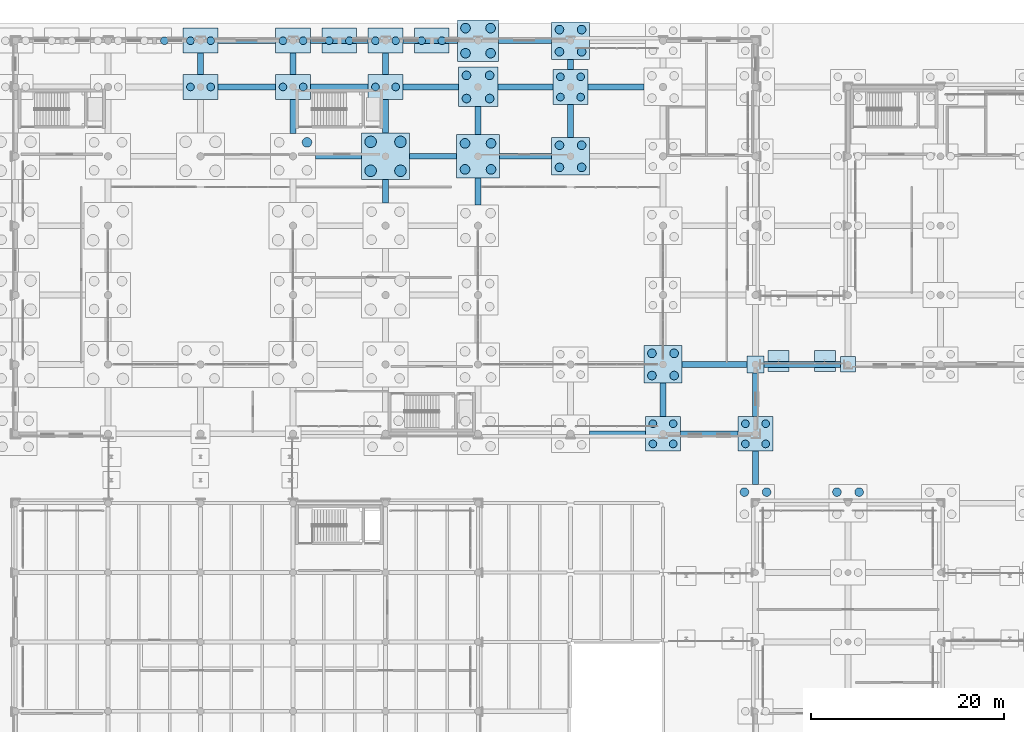
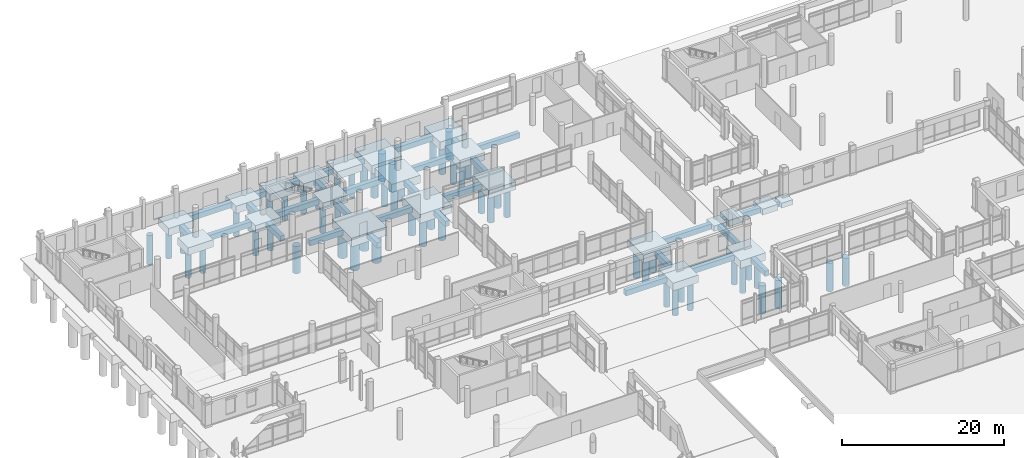
# One storey, part 5 of 196: 62 piles, 51 footings.
"""IFC4 building model written with IfcOpenShell, lengths in metres."""

from ifc_helpers import new_model, si_unit, direction, frame, origin, origin_2d, place, context, subcontext, project, spatial, rectangle, circle, extrude, material, material_profile, profile_set, type_object, element, save


model = new_model("IFC4")

# Units and contexts
model_context = context("Model", 3, precision=1e-05, world=origin(), true_north=direction((0.0, 1.0)))
body_context = subcontext(model_context, "Body", "Model", "MODEL_VIEW")
ifc_project = project(units=[si_unit("LENGTHUNIT", "METRE"), si_unit("AREAUNIT", "SQUARE_METRE"), si_unit("VOLUMEUNIT", "CUBIC_METRE"), si_unit("PLANEANGLEUNIT", "RADIAN"), si_unit("MASSUNIT", "GRAM", prefix="KILO")], contexts=[model_context])

# Site, building, storey
site_placement = place(None, origin())
site = spatial("IfcSite", under=ifc_project, at=site_placement, CompositionType="ELEMENT")
building_placement = place(site_placement, origin())
building = spatial("IfcBuilding", under=site, at=building_placement, Name="Asteropetra Specialist Clinic", CompositionType="ELEMENT")
storey_placement = place(building_placement, origin())
storey = spatial("IfcBuildingStorey", under=building, at=storey_placement, Name="L00", CompositionType="ELEMENT", Elevation=0.0)

# Footings
ifc_material_1 = material(Name="Concrete C35/45", Category="concrete")
ifc_material_profile_1 = material_profile(ifc_material_1, rectangle(XDim=0.60009765625, YDim=0.800048828125, at=origin_2d()), Name="FB 600x800")
ifc_profile_set_1 = profile_set([ifc_material_profile_1], Name="Concrete C35/45")
footing_type_1 = type_object("IfcFootingType", Name="FB-600x800", PredefinedType="FOOTING_BEAM", material=ifc_profile_set_1)
footing_1_placement = place(storey_placement, frame((21.0, 105.60009765625, -0.840087890625), z_axis=(1.0, 0.0, 0.0), x_axis=(0.0, 1.0, 0.0)))
element("IfcFooting", 1, at=footing_1_placement, inside=storey, type_object=footing_type_1, Name="Footing Tie Beam FB-0087", PredefinedType="FOOTING_BEAM", context=body_context, shape_type="SweptSolid", body=[
    extrude(rectangle(XDim=0.60009765625, YDim=0.800048828125, at=origin_2d()), origin(), (0.0, 0.0, 1.0), 6.0),
])
footing_2_placement = place(storey_placement, frame((19.199951171875, 106.89990234375, -0.840087890625), z_axis=(0.0, 1.0, 0.0), x_axis=(-1.0, 0.0, 0.0)))
element("IfcFooting", 2, at=footing_2_placement, inside=storey, type_object=footing_type_1, Name="Footing Tie Beam FB-0088", PredefinedType="FOOTING_BEAM", context=body_context, shape_type="SweptSolid", body=[
    extrude(rectangle(XDim=0.60009765625, YDim=0.800048828125, at=origin_2d()), origin(), (0.0, 0.0, 1.0), 2.2001953125),
])
footing_3_placement = place(storey_placement, frame((21.0, 110.39990234375, -0.840087890625), z_axis=(1.0, 0.0, 0.0), x_axis=(0.0, 1.0, 0.0)))
element("IfcFooting", 3, at=footing_3_placement, inside=storey, type_object=footing_type_1, Name="Footing Tie Beam FB-0089", PredefinedType="FOOTING_BEAM", context=body_context, shape_type="SweptSolid", body=[
    extrude(rectangle(XDim=0.60009765625, YDim=0.800048828125, at=origin_2d()), origin(), (0.0, 0.0, 1.0), 6.0),
])
footing_4_placement = place(storey_placement, frame((31.14990234375, 98.39990234375, -0.840087890625), z_axis=(1.0, 0.0, 0.0), x_axis=(0.0, 1.0, 0.0)))
element("IfcFooting", 4, at=footing_4_placement, inside=storey, type_object=footing_type_1, Name="Footing Tie Beam FB-0117", PredefinedType="FOOTING_BEAM", context=body_context, shape_type="SweptSolid", body=[
    extrude(rectangle(XDim=0.60009765625, YDim=0.800048828125, at=origin_2d()), origin(), (0.0, 0.0, 1.0), 4.75),
])
footing_5_placement = place(storey_placement, frame((28.800048828125, 100.75, -0.840087890625), z_axis=(0.0, 1.0, 0.0), x_axis=(-1.0, 0.0, 0.0)))
element("IfcFooting", 5, at=footing_5_placement, inside=storey, type_object=footing_type_1, Name="Footing Tie Beam FB-0118", PredefinedType="FOOTING_BEAM", context=body_context, shape_type="SweptSolid", body=[
    extrude(rectangle(XDim=0.60009765625, YDim=0.800048828125, at=origin_2d()), origin(), (0.0, 0.0, 1.0), 3.550048828125),
])
footing_6_placement = place(storey_placement, frame((30.60009765625, 105.60009765625, -0.840087890625), z_axis=(1.0, 0.0, 0.0), x_axis=(0.0, 1.0, 0.0)))
element("IfcFooting", 6, at=footing_6_placement, inside=storey, type_object=footing_type_1, Name="Footing Tie Beam FB-0119", PredefinedType="FOOTING_BEAM", context=body_context, shape_type="SweptSolid", body=[
    extrude(rectangle(XDim=0.60009765625, YDim=0.800048828125, at=origin_2d()), origin(), (0.0, 0.0, 1.0), 6.0),
])
footing_7_placement = place(storey_placement, frame((28.800048828125, 106.89990234375, -0.840087890625), z_axis=(0.0, 1.0, 0.0), x_axis=(-1.0, 0.0, 0.0)))
element("IfcFooting", 7, at=footing_7_placement, inside=storey, type_object=footing_type_1, Name="Footing Tie Beam FB-0120", PredefinedType="FOOTING_BEAM", context=body_context, shape_type="SweptSolid", body=[
    extrude(rectangle(XDim=0.60009765625, YDim=0.800048828125, at=origin_2d()), origin(), (0.0, 0.0, 1.0), 2.2001953125),
])
footing_8_placement = place(storey_placement, frame((30.60009765625, 110.39990234375, -0.840087890625), z_axis=(1.0, 0.0, 0.0), x_axis=(0.0, 1.0, 0.0)))
element("IfcFooting", 8, at=footing_8_placement, inside=storey, type_object=footing_type_1, Name="Footing Tie Beam FB-0121", PredefinedType="FOOTING_BEAM", context=body_context, shape_type="SweptSolid", body=[
    extrude(rectangle(XDim=0.60009765625, YDim=0.800048828125, at=origin_2d()), origin(), (0.0, 0.0, 1.0), 6.0),
])
footing_9_placement = place(storey_placement, frame((38.39990234375, 93.550048828125, -0.840087890625), z_axis=(0.0, 1.0, 0.0), x_axis=(-1.0, 0.0, 0.0)))
element("IfcFooting", 9, at=footing_9_placement, inside=storey, type_object=footing_type_1, Name="Footing Tie Beam FB-0148", PredefinedType="FOOTING_BEAM", context=body_context, shape_type="SweptSolid", body=[
    extrude(rectangle(XDim=0.60009765625, YDim=0.800048828125, at=origin_2d()), origin(), (0.0, 0.0, 1.0), 2.449951171875),
])
footing_10_placement = place(storey_placement, frame((40.89990234375, 98.39990234375, -0.840087890625), z_axis=(1.0, 0.0, 0.0), x_axis=(0.0, 1.0, 0.0)))
element("IfcFooting", 10, at=footing_10_placement, inside=storey, type_object=footing_type_1, Name="Footing Tie Beam FB-0149", PredefinedType="FOOTING_BEAM", context=body_context, shape_type="SweptSolid", body=[
    extrude(rectangle(XDim=0.60009765625, YDim=0.800048828125, at=origin_2d()), origin(), (0.0, 0.0, 1.0), 4.85009765625),
])
footing_11_placement = place(storey_placement, frame((38.39990234375, 100.800048828125, -0.840087890625), z_axis=(0.0, 1.0, 0.0), x_axis=(-1.0, 0.0, 0.0)))
element("IfcFooting", 11, at=footing_11_placement, inside=storey, type_object=footing_type_1, Name="Footing Tie Beam FB-0150", PredefinedType="FOOTING_BEAM", context=body_context, shape_type="SweptSolid", body=[
    extrude(rectangle(XDim=0.60009765625, YDim=0.800048828125, at=origin_2d()), origin(), (0.0, 0.0, 1.0), 3.5),
])
footing_12_placement = place(storey_placement, frame((40.199951171875, 105.60009765625, -0.840087890625), z_axis=(1.0, 0.0, 0.0), x_axis=(0.0, 1.0, 0.0)))
element("IfcFooting", 12, at=footing_12_placement, inside=storey, type_object=footing_type_1, Name="Footing Tie Beam FB-0151", PredefinedType="FOOTING_BEAM", context=body_context, shape_type="SweptSolid", body=[
    extrude(rectangle(XDim=0.60009765625, YDim=0.800048828125, at=origin_2d()), origin(), (0.0, 0.0, 1.0), 5.75),
])
footing_13_placement = place(storey_placement, frame((38.39990234375, 106.89990234375, -0.840087890625), z_axis=(0.0, 1.0, 0.0), x_axis=(-1.0, 0.0, 0.0)))
element("IfcFooting", 13, at=footing_13_placement, inside=storey, type_object=footing_type_1, Name="Footing Tie Beam FB-0152", PredefinedType="FOOTING_BEAM", context=body_context, shape_type="SweptSolid", body=[
    extrude(rectangle(XDim=0.60009765625, YDim=0.800048828125, at=origin_2d()), origin(), (0.0, 0.0, 1.0), 2.2001953125),
])
footing_14_placement = place(storey_placement, frame((40.199951171875, 110.39990234375, -0.840087890625), z_axis=(1.0, 0.0, 0.0), x_axis=(0.0, 1.0, 0.0)))
element("IfcFooting", 14, at=footing_14_placement, inside=storey, type_object=footing_type_1, Name="Footing Tie Beam FB-0153", PredefinedType="FOOTING_BEAM", context=body_context, shape_type="SweptSolid", body=[
    extrude(rectangle(XDim=0.60009765625, YDim=0.800048828125, at=origin_2d()), origin(), (0.0, 0.0, 1.0), 5.650146484375),
])
footing_15_placement = place(storey_placement, frame((48.0, 93.35009765625, -0.840087890625), z_axis=(0.0, 1.0, 0.0), x_axis=(-1.0, 0.0, 0.0)))
element("IfcFooting", 15, at=footing_15_placement, inside=storey, type_object=footing_type_1, Name="Footing Tie Beam FB-0178", PredefinedType="FOOTING_BEAM", context=body_context, shape_type="SweptSolid", body=[
    extrude(rectangle(XDim=0.60009765625, YDim=0.800048828125, at=origin_2d()), origin(), (0.0, 0.0, 1.0), 2.7998046875),
])
footing_16_placement = place(storey_placement, frame((50.25, 98.39990234375, -0.840087890625), z_axis=(1.0, 0.0, 0.0), x_axis=(0.0, 1.0, 0.0)))
element("IfcFooting", 16, at=footing_16_placement, inside=storey, type_object=footing_type_1, Name="Footing Tie Beam FB-0179", PredefinedType="FOOTING_BEAM", context=body_context, shape_type="SweptSolid", body=[
    extrude(rectangle(XDim=0.60009765625, YDim=0.800048828125, at=origin_2d()), origin(), (0.0, 0.0, 1.0), 5.39990234375),
])
footing_17_placement = place(storey_placement, frame((48.0, 100.64990234375, -0.840087890625), z_axis=(0.0, 1.0, 0.0), x_axis=(-1.0, 0.0, 0.0)))
element("IfcFooting", 17, at=footing_17_placement, inside=storey, type_object=footing_type_1, Name="Footing Tie Beam FB-0180", PredefinedType="FOOTING_BEAM", context=body_context, shape_type="SweptSolid", body=[
    extrude(rectangle(XDim=0.60009765625, YDim=0.800048828125, at=origin_2d()), origin(), (0.0, 0.0, 1.0), 2.900146484375),
])
footing_18_placement = place(storey_placement, frame((50.050048828125, 105.60009765625, -0.840087890625), z_axis=(1.0, 0.0, 0.0), x_axis=(0.0, 1.0, 0.0)))
element("IfcFooting", 18, at=footing_18_placement, inside=storey, type_object=footing_type_1, Name="Footing Tie Beam FB-0181", PredefinedType="FOOTING_BEAM", context=body_context, shape_type="SweptSolid", body=[
    extrude(rectangle(XDim=0.60009765625, YDim=0.800048828125, at=origin_2d()), origin(), (0.0, 0.0, 1.0), 5.75),
])
footing_19_placement = place(storey_placement, frame((50.14990234375, 110.39990234375, -0.840087890625), z_axis=(1.0, 0.0, 0.0), x_axis=(0.0, 1.0, 0.0)))
element("IfcFooting", 19, at=footing_19_placement, inside=storey, type_object=footing_type_1, Name="Footing Tie Beam FB-0182", PredefinedType="FOOTING_BEAM", context=body_context, shape_type="SweptSolid", body=[
    extrude(rectangle(XDim=0.60009765625, YDim=0.800048828125, at=origin_2d()), origin(), (0.0, 0.0, 1.0), 5.5),
])
footing_20_placement = place(storey_placement, frame((59.550048828125, 69.60009765625, -0.840087890625), z_axis=(1.0, 0.0, 0.0), x_axis=(0.0, 1.0, 0.0)))
element("IfcFooting", 20, at=footing_20_placement, inside=storey, type_object=footing_type_1, Name="Footing Tie Beam FB-0202", PredefinedType="FOOTING_BEAM", context=body_context, shape_type="SweptSolid", body=[
    extrude(rectangle(XDim=0.60009765625, YDim=0.800048828125, at=origin_2d()), origin(), (0.0, 0.0, 1.0), 5.849853515625),
])
footing_21_placement = place(storey_placement, frame((57.60009765625, 100.35009765625, -0.840087890625), z_axis=(0.0, 1.0, 0.0), x_axis=(-1.0, 0.0, 0.0)))
element("IfcFooting", 21, at=footing_21_placement, inside=storey, type_object=footing_type_1, Name="Footing Tie Beam FB-0206", PredefinedType="FOOTING_BEAM", context=body_context, shape_type="SweptSolid", body=[
    extrude(rectangle(XDim=0.60009765625, YDim=0.800048828125, at=origin_2d()), origin(), (0.0, 0.0, 1.0), 3.449951171875),
])
footing_22_placement = place(storey_placement, frame((59.39990234375, 105.60009765625, -0.840087890625), z_axis=(1.0, 0.0, 0.0), x_axis=(0.0, 1.0, 0.0)))
element("IfcFooting", 22, at=footing_22_placement, inside=storey, type_object=footing_type_1, Name="Footing Tie Beam FB-0207", PredefinedType="FOOTING_BEAM", context=body_context, shape_type="SweptSolid", body=[
    extrude(rectangle(XDim=0.60009765625, YDim=0.800048828125, at=origin_2d()), origin(), (0.0, 0.0, 1.0), 5.85009765625),
])
footing_23_placement = place(storey_placement, frame((57.60009765625, 107.39990234375, -0.840087890625), z_axis=(0.0, 1.0, 0.0), x_axis=(-1.0, 0.0, 0.0)))
element("IfcFooting", 23, at=footing_23_placement, inside=storey, type_object=footing_type_1, Name="Footing Tie Beam FB-0208", PredefinedType="FOOTING_BEAM", context=body_context, shape_type="SweptSolid", body=[
    extrude(rectangle(XDim=0.60009765625, YDim=0.800048828125, at=origin_2d()), origin(), (0.0, 0.0, 1.0), 1.050048828125),
])
footing_24_placement = place(storey_placement, frame((69.0, 69.60009765625, -0.840087890625), z_axis=(1.0, 0.0, 0.0), x_axis=(0.0, 1.0, 0.0)))
element("IfcFooting", 24, at=footing_24_placement, inside=storey, type_object=footing_type_1, Name="Footing Tie Beam FB-0221", PredefinedType="FOOTING_BEAM", context=body_context, shape_type="SweptSolid", body=[
    extrude(rectangle(XDim=0.60009765625, YDim=0.800048828125, at=origin_2d()), origin(), (0.0, 0.0, 1.0), 6.0),
])
footing_25_placement = place(storey_placement, frame((67.199951171875, 71.39990234375, -0.840087890625), z_axis=(0.0, 1.0, 0.0), x_axis=(-1.0, 0.0, 0.0)))
element("IfcFooting", 25, at=footing_25_placement, inside=storey, type_object=footing_type_1, Name="Footing Tie Beam FB-0222", PredefinedType="FOOTING_BEAM", context=body_context, shape_type="SweptSolid", body=[
    extrude(rectangle(XDim=0.60009765625, YDim=0.800048828125, at=origin_2d()), origin(), (0.0, 0.0, 1.0), 3.4501953125),
])
footing_26_placement = place(storey_placement, frame((69.14990234375, 76.800048828125, -0.840087890625), z_axis=(1.0, 0.0, 0.0), x_axis=(0.0, 1.0, 0.0)))
element("IfcFooting", 26, at=footing_26_placement, inside=storey, type_object=footing_type_1, Name="Footing Tie Beam FB-0223", PredefinedType="FOOTING_BEAM", context=body_context, shape_type="SweptSolid", body=[
    extrude(rectangle(XDim=0.60009765625, YDim=0.800048828125, at=origin_2d()), origin(), (0.0, 0.0, 1.0), 6.75),
])
footing_27_placement = place(storey_placement, frame((76.800048828125, 64.35009765625, -0.840087890625), z_axis=(0.0, 1.0, 0.0), x_axis=(-1.0, 0.0, 0.0)))
element("IfcFooting", 27, at=footing_27_placement, inside=storey, type_object=footing_type_1, Name="Footing Tie Beam FB-0246", PredefinedType="FOOTING_BEAM", context=body_context, shape_type="SweptSolid", body=[
    extrude(rectangle(XDim=0.60009765625, YDim=0.800048828125, at=origin_2d()), origin(), (0.0, 0.0, 1.0), 3.449951171875),
])
footing_28_placement = place(storey_placement, frame((76.800048828125, 71.39990234375, -0.840087890625), z_axis=(0.0, 1.0, 0.0), x_axis=(-1.0, 0.0, 0.0)))
element("IfcFooting", 28, at=footing_28_placement, inside=storey, type_object=footing_type_1, Name="Footing Tie Beam FB-0247", PredefinedType="FOOTING_BEAM", context=body_context, shape_type="SweptSolid", body=[
    extrude(rectangle(XDim=0.60009765625, YDim=0.800048828125, at=origin_2d()), origin(), (0.0, 0.0, 1.0), 4.5),
])
footing_29_placement = place(storey_placement, frame((77.699951171875, 76.800048828125, -0.840087890625), z_axis=(1.0, 0.0, 0.0), x_axis=(0.0, 1.0, 0.0)))
element("IfcFooting", 29, at=footing_29_placement, inside=storey, type_object=footing_type_1, Name="Footing Tie Beam FB-0248", PredefinedType="FOOTING_BEAM", context=body_context, shape_type="SweptSolid", body=[
    extrude(rectangle(XDim=0.60009765625, YDim=0.800048828125, at=origin_2d()), origin(), (0.0, 0.0, 1.0), 7.900146484375),
])
ifc_material_2 = material(Name="Concrete C35/45", Category="concrete")
footing_type_2 = type_object("IfcFootingType", Name="PC-2600", PredefinedType="PILE_CAP", material=ifc_material_2)
for number, where, z_axis, x_axis, name in (
    (30, (19.199951171875, 105.60009765625, -1.5400390625), (0.0, 0.0, 1.0), (1.0, 0.0, 0.0), "Pile Cap PC-01-056"),
    (31, (19.199951171875, 110.39990234375, -1.5400390625), (0.0, 0.0, 1.0), (1.0, 0.0, 0.0), "Pile Cap PC-01-057"),
    (32, (28.800048828125, 105.60009765625, -1.5400390625), (0.0, 0.0, 1.0), (1.0, 0.0, 0.0), "Pile Cap PC-01-077"),
    (33, (28.800048828125, 110.39990234375, -1.5400390625), (0.0, 0.0, 1.0), (1.0, 0.0, 0.0), "Pile Cap PC-01-078"),
    (34, (38.39990234375, 105.60009765625, -1.5400390625), (0.0, 0.0, 1.0), (1.0, 0.0, 0.0), "Pile Cap PC-01-094"),
    (35, (38.39990234375, 110.39990234375, -1.5400390625), (0.0, 0.0, 1.0), (1.0, 0.0, 0.0), "Pile Cap PC-01-095"),
    (36, (33.60009765625, 110.39990234375, -1.43994140625), (0.0, 0.0, 1.0), (1.0, 0.0, 0.0), "Pilaster Pile Cap PC-P03"),
    (37, (43.199951171875, 110.39990234375, -1.43994140625), (0.0, 0.0, 1.0), (1.0, 0.0, 0.0), "Pilaster Pile Cap PC-P04"),
):
    element("IfcFooting", number, at=place(storey_placement, frame(where, z_axis=z_axis, x_axis=x_axis)), inside=storey, type_object=footing_type_2, Name=name, PredefinedType="PILE_CAP", context=body_context, shape_type="SweptSolid", body=[
        extrude(rectangle(XDim=3.60009765625, YDim=2.60009765625, at=origin_2d()), origin(), (0.0, 0.0, 1.0), 1.10009765625),
    ])
ifc_material_3 = material(Name="Concrete C35/45", Category="concrete")
footing_type_3 = type_object("IfcFootingType", Name="PC-2800", PredefinedType="PILE_CAP", material=ifc_material_3)
for number, where, z_axis, x_axis, name in (
    (38, (57.60009765625, 105.60009765625, -1.58984375), (0.0, 0.0, 1.0), (1.0, 0.0, 0.0), "Pile Cap PC-02-126"),
    (39, (67.199951171875, 69.60009765625, -1.58984375), (0.0, 0.0, 1.0), (1.0, 0.0, 0.0), "Pile Cap PC-02-138"),
    (40, (76.800048828125, 69.60009765625, -1.58984375), (0.0, 0.0, 1.0), (1.0, 0.0, 0.0), "Pile Cap PC-02-156"),
):
    element("IfcFooting", number, at=place(storey_placement, frame(where, z_axis=z_axis, x_axis=x_axis)), inside=storey, type_object=footing_type_3, Name=name, PredefinedType="PILE_CAP", context=body_context, shape_type="SweptSolid", body=[
        extrude(rectangle(XDim=3.60009765625, YDim=3.60009765625, at=origin_2d()), origin(), (0.0, 0.0, 1.0), 1.14990234375),
    ])
ifc_material_4 = material(Name="Concrete C35/45", Category="concrete")
footing_type_4 = type_object("IfcFootingType", Name="PC-3000", PredefinedType="PILE_CAP", material=ifc_material_4)
for number, where, z_axis, x_axis, name in (
    (41, (57.60009765625, 98.39990234375, -1.64013671875), (0.0, 0.0, 1.0), (1.0, 0.0, 0.0), "Pile Cap PC-03-125"),
    (42, (57.60009765625, 110.39990234375, -1.64013671875), (0.0, 0.0, 1.0), (1.0, 0.0, 0.0), "Pile Cap PC-03-127"),
    (43, (67.199951171875, 76.800048828125, -1.64013671875), (0.0, 0.0, 1.0), (1.0, 0.0, 0.0), "Pile Cap PC-03-139"),
):
    element("IfcFooting", number, at=place(storey_placement, frame(where, z_axis=z_axis, x_axis=x_axis)), inside=storey, type_object=footing_type_4, Name=name, PredefinedType="PILE_CAP", context=body_context, shape_type="SweptSolid", body=[
        extrude(rectangle(XDim=3.89990234375, YDim=3.89990234375, at=origin_2d()), origin(), (0.0, 0.0, 1.0), 1.199951171875),
    ])
ifc_material_5 = material(Name="Concrete C35/45", Category="concrete")
footing_type_5 = type_object("IfcFootingType", Name="PC-3200", PredefinedType="PILE_CAP", material=ifc_material_5)
footing_30_placement = place(storey_placement, frame((48.0, 105.60009765625, -1.64013671875), z_axis=(0.0, 0.0, 1.0), x_axis=(1.0, 0.0, 0.0)))
element("IfcFooting", 44, at=footing_30_placement, inside=storey, type_object=footing_type_5, Name="Pile Cap PC-04-111", PredefinedType="PILE_CAP", context=body_context, shape_type="SweptSolid", body=[
    extrude(rectangle(XDim=4.10009765625, YDim=4.10009765625, at=origin_2d()), origin(), (0.0, 0.0, 1.0), 1.199951171875),
])
ifc_material_6 = material(Name="Concrete C35/45", Category="concrete")
footing_type_6 = type_object("IfcFootingType", Name="PC-3400", PredefinedType="PILE_CAP", material=ifc_material_6)
footing_31_placement = place(storey_placement, frame((48.0, 110.39990234375, -1.68994140625), z_axis=(0.0, 0.0, 1.0), x_axis=(1.0, 0.0, 0.0)))
element("IfcFooting", 45, at=footing_31_placement, inside=storey, type_object=footing_type_6, Name="Pile Cap PC-05-112", PredefinedType="PILE_CAP", context=body_context, shape_type="SweptSolid", body=[
    extrude(rectangle(XDim=4.300048828125, YDim=4.300048828125, at=origin_2d()), origin(), (0.0, 0.0, 1.0), 1.25),
])
ifc_material_7 = material(Name="Concrete C35/45", Category="concrete")
footing_type_7 = type_object("IfcFootingType", Name="PC-3600", PredefinedType="PILE_CAP", material=ifc_material_7)
footing_32_placement = place(storey_placement, frame((48.0, 98.39990234375, -1.740234375), z_axis=(0.0, 0.0, 1.0), x_axis=(1.0, 0.0, 0.0)))
element("IfcFooting", 46, at=footing_32_placement, inside=storey, type_object=footing_type_7, Name="Pile Cap PC-06-110", PredefinedType="PILE_CAP", context=body_context, shape_type="SweptSolid", body=[
    extrude(rectangle(XDim=4.5, YDim=4.5, at=origin_2d()), origin(), (0.0, 0.0, 1.0), 1.300048828125),
])
ifc_material_8 = material(Name="Concrete C35/45", Category="concrete")
footing_type_8 = type_object("IfcFootingType", Name="PC-4000x3200", PredefinedType="PILE_CAP", material=ifc_material_8)
footing_33_placement = place(storey_placement, frame((38.39990234375, 98.39990234375, -1.740234375), z_axis=(0.0, 0.0, 1.0), x_axis=(1.0, 0.0, 0.0)))
element("IfcFooting", 47, at=footing_33_placement, inside=storey, type_object=footing_type_8, Name="Pile Cap PC-08-093", PredefinedType="PILE_CAP", context=body_context, shape_type="SweptSolid", body=[
    extrude(rectangle(XDim=5.0, YDim=4.800048828125, at=origin_2d()), origin(), (0.0, 0.0, 1.0), 1.300048828125),
])
ifc_material_9 = material(Name="Concrete C35/45", Category="concrete")
footing_type_9 = type_object("IfcFootingType", Name="PF-1600", PredefinedType="PAD_FOOTING", material=ifc_material_9)
footing_34_placement = place(storey_placement, frame((86.39990234375, 76.800048828125, -1.18994140625), z_axis=(0.0, 0.0, 1.0), x_axis=(1.0, 0.0, 0.0)))
element("IfcFooting", 48, at=footing_34_placement, inside=storey, type_object=footing_type_9, Name="Pad Footing PF-01-176", PredefinedType="PAD_FOOTING", context=body_context, shape_type="SweptSolid", body=[
    extrude(rectangle(XDim=1.60009765625, YDim=1.60009765625, at=origin_2d()), origin(), (0.0, 0.0, 1.0), 0.75),
])
ifc_material_10 = material(Name="Concrete C35/45", Category="concrete")
footing_type_10 = type_object("IfcFootingType", Name="PF-1800", PredefinedType="PAD_FOOTING", material=ifc_material_10)
footing_35_placement = place(storey_placement, frame((76.800048828125, 76.800048828125, -1.240234375), z_axis=(0.0, 0.0, 1.0), x_axis=(1.0, 0.0, 0.0)))
element("IfcFooting", 49, at=footing_35_placement, inside=storey, type_object=footing_type_10, Name="Pad Footing PF-02-157", PredefinedType="PAD_FOOTING", context=body_context, shape_type="SweptSolid", body=[
    extrude(rectangle(XDim=1.800048828125, YDim=1.800048828125, at=origin_2d()), origin(), (0.0, 0.0, 1.0), 0.800048828125),
])
ifc_material_11 = material(Name="Concrete C35/45", Category="concrete")
footing_type_11 = type_object("IfcFootingType", Name="PF-2200", PredefinedType="PAD_FOOTING", material=ifc_material_11)
for number, where, z_axis, x_axis, name in (
    (50, (79.199951171875, 77.14990234375, -1.33984375), (0.0, 0.0, 1.0), (1.0, 0.0, 0.0), "Pad Footing PF-04-163"),
    (51, (84.0, 77.14990234375, -1.33984375), (0.0, 0.0, 1.0), (1.0, 0.0, 0.0), "Pad Footing PF-04-167"),
):
    element("IfcFooting", number, at=place(storey_placement, frame(where, z_axis=z_axis, x_axis=x_axis)), inside=storey, type_object=footing_type_11, Name=name, PredefinedType="PAD_FOOTING", context=body_context, shape_type="SweptSolid", body=[
        extrude(rectangle(XDim=2.199951171875, YDim=2.199951171875, at=origin_2d()), origin(), (0.0, 0.0, 1.0), 0.89990234375),
    ])

# Piles
ifc_material_12 = material(Name="Concrete C35/45", Category="concrete")
ifc_material_profile_2 = material_profile(ifc_material_12, circle(Radius=0.5, at=origin_2d()), Name="PILE D1000")
ifc_profile_set_2 = profile_set([ifc_material_profile_2], Name="Concrete C35/45")
pile_type_1 = type_object("IfcPileType", Name="PILE-B1000", PredefinedType="BORED", material=ifc_profile_set_2)
pile_placement = place(storey_placement, frame((30.25, 99.85009765625, -1.68994140625), z_axis=(0.0, 0.0, -1.0), x_axis=(1.0, 0.0, 0.0)))
element("IfcPile", 52, at=pile_placement, inside=storey, type_object=pile_type_1, Name="Bored Pile PPL03-076-4", PredefinedType="BORED", context=body_context, shape_type="SweptSolid", body=[
    extrude(circle(Radius=0.5, at=origin_2d()), origin(), (0.0, 0.0, 1.0), 4.110107421875),
])
for number, where, z_axis, x_axis, name in (
    (53, (46.64990234375, 97.050048828125, -1.639892578125), (0.0, 0.0, -1.0), (1.0, 0.0, 0.0), "Bored Pile PPL03-110-1"),
    (54, (49.35009765625, 97.050048828125, -1.639892578125), (0.0, 0.0, -1.0), (1.0, 0.0, 0.0), "Bored Pile PPL03-110-2"),
    (55, (46.64990234375, 99.75, -1.639892578125), (0.0, 0.0, -1.0), (1.0, 0.0, 0.0), "Bored Pile PPL03-110-3"),
    (56, (49.35009765625, 99.75, -1.639892578125), (0.0, 0.0, -1.0), (1.0, 0.0, 0.0), "Bored Pile PPL03-110-4"),
):
    element("IfcPile", number, at=place(storey_placement, frame(where, z_axis=z_axis, x_axis=x_axis)), inside=storey, type_object=pile_type_1, Name=name, PredefinedType="BORED", context=body_context, shape_type="SweptSolid", body=[
        extrude(circle(Radius=0.5, at=origin_2d()), origin(), (0.0, 0.0, 1.0), 4.159912109375),
    ])
for number, where, z_axis, x_axis, name in (
    (57, (46.699951171875, 109.10009765625, -1.590087890625), (0.0, 0.0, -1.0), (1.0, 0.0, 0.0), "Bored Pile PPL03-112-1"),
    (58, (49.300048828125, 109.10009765625, -1.590087890625), (0.0, 0.0, -1.0), (1.0, 0.0, 0.0), "Bored Pile PPL03-112-2"),
    (59, (46.699951171875, 111.699951171875, -1.590087890625), (0.0, 0.0, -1.0), (1.0, 0.0, 0.0), "Bored Pile PPL03-112-3"),
    (60, (49.300048828125, 111.699951171875, -1.590087890625), (0.0, 0.0, -1.0), (1.0, 0.0, 0.0), "Bored Pile PPL03-112-4"),
):
    element("IfcPile", number, at=place(storey_placement, frame(where, z_axis=z_axis, x_axis=x_axis)), inside=storey, type_object=pile_type_1, Name=name, PredefinedType="BORED", context=body_context, shape_type="SweptSolid", body=[
        extrude(circle(Radius=0.5, at=origin_2d()), origin(), (0.0, 0.0, 1.0), 4.2099609375),
    ])
ifc_material_13 = material(Name="Concrete C35/45", Category="concrete")
ifc_material_profile_3 = material_profile(ifc_material_13, circle(Radius=0.60009765625, at=origin_2d()), Name="PILE D1200")
ifc_profile_set_3 = profile_set([ifc_material_profile_3], Name="Concrete C35/45")
pile_type_2 = type_object("IfcPileType", Name="PILE-B1200", PredefinedType="BORED", material=ifc_profile_set_3)
for number, where, z_axis, x_axis, name in (
    (61, (36.85009765625, 96.89990234375, -1.639892578125), (0.0, 0.0, -1.0), (1.0, 0.0, 0.0), "Bored Pile PPL04-093-1"),
    (62, (39.949951171875, 96.89990234375, -1.639892578125), (0.0, 0.0, -1.0), (1.0, 0.0, 0.0), "Bored Pile PPL04-093-2"),
    (63, (36.85009765625, 99.89990234375, -1.639892578125), (0.0, 0.0, -1.0), (1.0, 0.0, 0.0), "Bored Pile PPL04-093-3"),
    (64, (39.949951171875, 99.89990234375, -1.639892578125), (0.0, 0.0, -1.0), (1.0, 0.0, 0.0), "Bored Pile PPL04-093-4"),
):
    element("IfcPile", number, at=place(storey_placement, frame(where, z_axis=z_axis, x_axis=x_axis)), inside=storey, type_object=pile_type_2, Name=name, PredefinedType="BORED", context=body_context, shape_type="SweptSolid", body=[
        extrude(circle(Radius=0.60009765625, at=origin_2d()), origin(), (0.0, 0.0, 1.0), 4.159912109375),
    ])
ifc_material_14 = material(Name="Concrete C35/45", Category="concrete")
ifc_material_profile_4 = material_profile(ifc_material_14, circle(Radius=0.39990234375, at=origin_2d()), Name="PILE D800")
ifc_profile_set_4 = profile_set([ifc_material_profile_4], Name="Concrete C35/45")
pile_type_3 = type_object("IfcPileType", Name="PILE-B800", PredefinedType="BORED", material=ifc_profile_set_4)
for number, where, z_axis, x_axis, name in (
    (65, (18.14990234375, 105.60009765625, -1.43994140625), (0.0, 0.0, -1.0), (1.0, 0.0, 0.0), "Bored Pile PPL01-056-1"),
    (66, (20.25, 105.60009765625, -1.43994140625), (0.0, 0.0, -1.0), (1.0, 0.0, 0.0), "Bored Pile PPL01-056-2"),
    (67, (18.14990234375, 110.39990234375, -1.43994140625), (0.0, 0.0, -1.0), (1.0, 0.0, 0.0), "Bored Pile PPL01-057-1"),
    (68, (20.25, 110.39990234375, -1.43994140625), (0.0, 0.0, -1.0), (1.0, 0.0, 0.0), "Bored Pile PPL01-057-2"),
    (69, (27.75, 105.60009765625, -1.43994140625), (0.0, 0.0, -1.0), (1.0, 0.0, 0.0), "Bored Pile PPL01-077-1"),
    (70, (29.85009765625, 105.60009765625, -1.43994140625), (0.0, 0.0, -1.0), (1.0, 0.0, 0.0), "Bored Pile PPL01-077-2"),
    (71, (27.75, 110.39990234375, -1.43994140625), (0.0, 0.0, -1.0), (1.0, 0.0, 0.0), "Bored Pile PPL01-078-1"),
    (72, (29.85009765625, 110.39990234375, -1.43994140625), (0.0, 0.0, -1.0), (1.0, 0.0, 0.0), "Bored Pile PPL01-078-2"),
    (73, (37.35009765625, 105.60009765625, -1.43994140625), (0.0, 0.0, -1.0), (1.0, 0.0, 0.0), "Bored Pile PPL01-094-1"),
    (74, (39.449951171875, 105.60009765625, -1.43994140625), (0.0, 0.0, -1.0), (1.0, 0.0, 0.0), "Bored Pile PPL01-094-2"),
    (75, (37.35009765625, 110.39990234375, -1.43994140625), (0.0, 0.0, -1.0), (1.0, 0.0, 0.0), "Bored Pile PPL01-095-1"),
    (76, (39.449951171875, 110.39990234375, -1.43994140625), (0.0, 0.0, -1.0), (1.0, 0.0, 0.0), "Bored Pile PPL01-095-2"),
):
    element("IfcPile", number, at=place(storey_placement, frame(where, z_axis=z_axis, x_axis=x_axis)), inside=storey, type_object=pile_type_3, Name=name, PredefinedType="BORED", context=body_context, shape_type="SweptSolid", body=[
        extrude(circle(Radius=0.39990234375, at=origin_2d()), origin(), (0.0, 0.0, 1.0), 4.360107421875),
    ])
for number, where, z_axis, x_axis, name in (
    (77, (56.550048828125, 104.550048828125, -1.489990234375), (0.0, 0.0, -1.0), (1.0, 0.0, 0.0), "Bored Pile PPL01-126-1"),
    (78, (58.64990234375, 104.550048828125, -1.489990234375), (0.0, 0.0, -1.0), (1.0, 0.0, 0.0), "Bored Pile PPL01-126-2"),
    (79, (56.550048828125, 106.64990234375, -1.489990234375), (0.0, 0.0, -1.0), (1.0, 0.0, 0.0), "Bored Pile PPL01-126-3"),
    (80, (58.64990234375, 106.64990234375, -1.489990234375), (0.0, 0.0, -1.0), (1.0, 0.0, 0.0), "Bored Pile PPL01-126-4"),
    (81, (66.14990234375, 68.550048828125, -1.489990234375), (0.0, 0.0, -1.0), (1.0, 0.0, 0.0), "Bored Pile PPL01-138-1"),
    (82, (68.25, 68.550048828125, -1.489990234375), (0.0, 0.0, -1.0), (1.0, 0.0, 0.0), "Bored Pile PPL01-138-2"),
    (83, (66.14990234375, 70.64990234375, -1.489990234375), (0.0, 0.0, -1.0), (1.0, 0.0, 0.0), "Bored Pile PPL01-138-3"),
    (84, (68.25, 70.64990234375, -1.489990234375), (0.0, 0.0, -1.0), (1.0, 0.0, 0.0), "Bored Pile PPL01-138-4"),
    (85, (75.75, 68.550048828125, -1.489990234375), (0.0, 0.0, -1.0), (1.0, 0.0, 0.0), "Bored Pile PPL01-156-1"),
    (86, (77.85009765625, 68.550048828125, -1.489990234375), (0.0, 0.0, -1.0), (1.0, 0.0, 0.0), "Bored Pile PPL01-156-2"),
    (87, (75.75, 70.64990234375, -1.489990234375), (0.0, 0.0, -1.0), (1.0, 0.0, 0.0), "Bored Pile PPL01-156-3"),
    (88, (77.85009765625, 70.64990234375, -1.489990234375), (0.0, 0.0, -1.0), (1.0, 0.0, 0.0), "Bored Pile PPL01-156-4"),
):
    element("IfcPile", number, at=place(storey_placement, frame(where, z_axis=z_axis, x_axis=x_axis)), inside=storey, type_object=pile_type_3, Name=name, PredefinedType="BORED", context=body_context, shape_type="SweptSolid", body=[
        extrude(circle(Radius=0.39990234375, at=origin_2d()), origin(), (0.0, 0.0, 1.0), 4.31005859375),
    ])
for number, where, z_axis, x_axis, name in (
    (89, (15.449951171875, 110.39990234375, -1.340087890625), (0.0, 0.0, -1.0), (1.0, 0.0, 0.0), "Pilaster Bored Pile PP-02-2"),
    (90, (32.550048828125, 110.39990234375, -1.340087890625), (0.0, 0.0, -1.0), (1.0, 0.0, 0.0), "Pilaster Bored Pile PP-03-1"),
    (91, (34.64990234375, 110.39990234375, -1.340087890625), (0.0, 0.0, -1.0), (1.0, 0.0, 0.0), "Pilaster Bored Pile PP-03-2"),
    (92, (42.14990234375, 110.39990234375, -1.340087890625), (0.0, 0.0, -1.0), (1.0, 0.0, 0.0), "Pilaster Bored Pile PP-04-1"),
    (93, (44.25, 110.39990234375, -1.340087890625), (0.0, 0.0, -1.0), (1.0, 0.0, 0.0), "Pilaster Bored Pile PP-04-2"),
):
    element("IfcPile", number, at=place(storey_placement, frame(where, z_axis=z_axis, x_axis=x_axis)), inside=storey, type_object=pile_type_3, Name=name, PredefinedType="BORED", context=body_context, shape_type="SweptSolid", body=[
        extrude(circle(Radius=0.39990234375, at=origin_2d()), origin(), (0.0, 0.0, 1.0), 4.4599609375),
    ])
ifc_material_15 = material(Name="Concrete C35/45", Category="concrete")
ifc_material_profile_5 = material_profile(ifc_material_15, circle(Radius=0.449951171875, at=origin_2d()), Name="PILE D900")
ifc_profile_set_5 = profile_set([ifc_material_profile_5], Name="Concrete C35/45")
pile_type_4 = type_object("IfcPileType", Name="PILE-B900", PredefinedType="BORED", material=ifc_profile_set_5)
for number, where, z_axis, x_axis, name in (
    (94, (46.800048828125, 104.39990234375, -1.5400390625), (0.0, 0.0, -1.0), (1.0, 0.0, 0.0), "Bored Pile PPL02-111-1"),
    (95, (49.199951171875, 104.39990234375, -1.5400390625), (0.0, 0.0, -1.0), (1.0, 0.0, 0.0), "Bored Pile PPL02-111-2"),
    (96, (46.800048828125, 106.800048828125, -1.5400390625), (0.0, 0.0, -1.0), (1.0, 0.0, 0.0), "Bored Pile PPL02-111-3"),
    (97, (49.199951171875, 106.800048828125, -1.5400390625), (0.0, 0.0, -1.0), (1.0, 0.0, 0.0), "Bored Pile PPL02-111-4"),
    (98, (56.449951171875, 97.25, -1.5400390625), (0.0, 0.0, -1.0), (1.0, 0.0, 0.0), "Bored Pile PPL02-125-1"),
    (99, (58.75, 97.25, -1.5400390625), (0.0, 0.0, -1.0), (1.0, 0.0, 0.0), "Bored Pile PPL02-125-2"),
    (100, (56.449951171875, 99.550048828125, -1.5400390625), (0.0, 0.0, -1.0), (1.0, 0.0, 0.0), "Bored Pile PPL02-125-3"),
    (101, (58.75, 99.550048828125, -1.5400390625), (0.0, 0.0, -1.0), (1.0, 0.0, 0.0), "Bored Pile PPL02-125-4"),
    (102, (56.449951171875, 109.25, -1.5400390625), (0.0, 0.0, -1.0), (1.0, 0.0, 0.0), "Bored Pile PPL02-127-1"),
    (103, (58.75, 109.25, -1.5400390625), (0.0, 0.0, -1.0), (1.0, 0.0, 0.0), "Bored Pile PPL02-127-2"),
    (104, (56.449951171875, 111.550048828125, -1.5400390625), (0.0, 0.0, -1.0), (1.0, 0.0, 0.0), "Bored Pile PPL02-127-3"),
    (105, (58.75, 111.550048828125, -1.5400390625), (0.0, 0.0, -1.0), (1.0, 0.0, 0.0), "Bored Pile PPL02-127-4"),
    (106, (66.050048828125, 75.64990234375, -1.5400390625), (0.0, 0.0, -1.0), (1.0, 0.0, 0.0), "Bored Pile PPL02-139-1"),
    (107, (68.35009765625, 75.64990234375, -1.5400390625), (0.0, 0.0, -1.0), (1.0, 0.0, 0.0), "Bored Pile PPL02-139-2"),
    (108, (66.050048828125, 77.949951171875, -1.5400390625), (0.0, 0.0, -1.0), (1.0, 0.0, 0.0), "Bored Pile PPL02-139-3"),
    (109, (68.35009765625, 77.949951171875, -1.5400390625), (0.0, 0.0, -1.0), (1.0, 0.0, 0.0), "Bored Pile PPL02-139-4"),
    (110, (75.64990234375, 63.550048828125, -1.5400390625), (0.0, 0.0, -1.0), (1.0, 0.0, 0.0), "Bored Pile PPL02-155-3"),
    (111, (77.949951171875, 63.550048828125, -1.5400390625), (0.0, 0.0, -1.0), (1.0, 0.0, 0.0), "Bored Pile PPL02-155-4"),
    (112, (85.25, 63.550048828125, -1.5400390625), (0.0, 0.0, -1.0), (1.0, 0.0, 0.0), "Bored Pile PPL02-175-3"),
    (113, (87.550048828125, 63.550048828125, -1.5400390625), (0.0, 0.0, -1.0), (1.0, 0.0, 0.0), "Bored Pile PPL02-175-4"),
):
    element("IfcPile", number, at=place(storey_placement, frame(where, z_axis=z_axis, x_axis=x_axis)), inside=storey, type_object=pile_type_4, Name=name, PredefinedType="BORED", context=body_context, shape_type="SweptSolid", body=[
        extrude(circle(Radius=0.449951171875, at=origin_2d()), origin(), (0.0, 0.0, 1.0), 4.260009765625),
    ])

save(model, "model.ifc")
